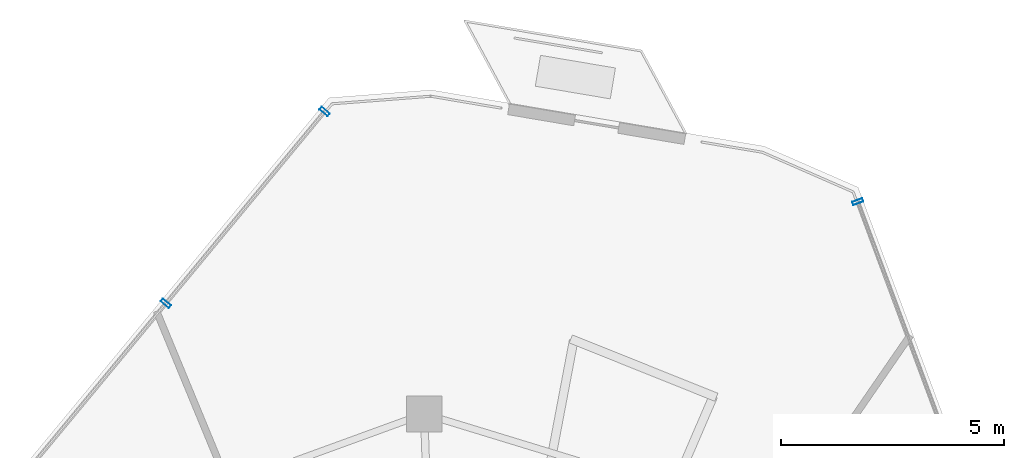
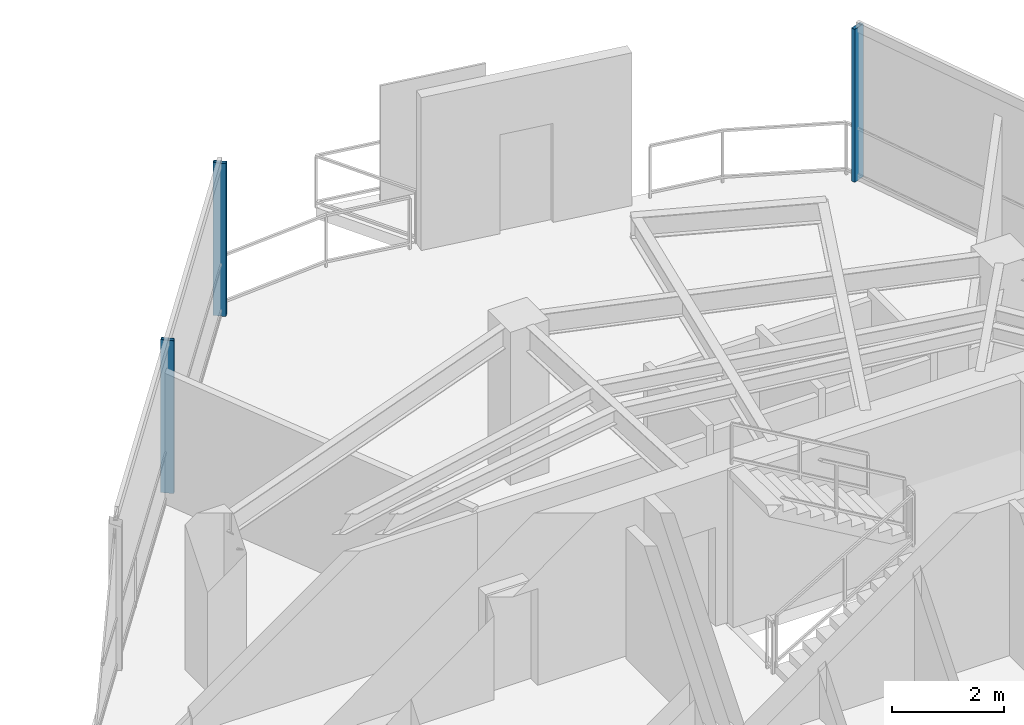
# One storey, part 13 of 19: 3 members, 2 elements without a shape of their own.
"""IFC4 building model written with IfcOpenShell, lengths in metres."""

from ifc_helpers import new_model, si_unit, direction, frame, origin, origin_2d, place, context, subcontext, project, spatial, hollow_rectangle, extrude, material, layer, layer_set, material_profile, profile_set, type_object, element, aggregate, save


model = new_model("IFC4")

# Units and contexts
model_context = context("Model", 3, precision=1e-05, world=origin(), true_north=direction((0.0, 1.0)))
body_context = subcontext(model_context, "Body", "Model", "MODEL_VIEW")
ifc_project = project(units=[si_unit("LENGTHUNIT", "METRE"), si_unit("AREAUNIT", "SQUARE_METRE"), si_unit("VOLUMEUNIT", "CUBIC_METRE"), si_unit("PLANEANGLEUNIT", "RADIAN"), si_unit("MASSUNIT", "GRAM", prefix="KILO")], contexts=[model_context])

# Site, building, storey
site_placement = place(None, origin())
site = spatial("IfcSite", under=ifc_project, at=site_placement, CompositionType="ELEMENT")
building_placement = place(site_placement, origin())
building = spatial("IfcBuilding", under=site, at=building_placement, Name="Qarnah Convention Tower", CompositionType="ELEMENT")
storey_placement = place(building_placement, frame((0.0, 0.0, 257.10009765625)))
storey = spatial("IfcBuildingStorey", under=building, at=storey_placement, Name="L69", CompositionType="ELEMENT", Elevation=257.10009765625)

# Curtain wall, member
ifc_material_1 = material(Name="Tempered Low-E dark glass", Category="glass")
ifc_layer = layer(ifc_material_1, 0.176025390625)
ifc_layer_set = layer_set([ifc_layer], Name="Tempered Low-E dark glass")
curtain_wall_type = type_object("IfcCurtainWallType", Name="CWS-05", PredefinedType="NOTDEFINED", material=ifc_layer_set)
curtain_wall_1_placement = place(storey_placement, origin())
curtain_wall_1 = element("IfcCurtainWall", 1, at=curtain_wall_1_placement, inside=storey, type_object=curtain_wall_type, Name="L69 unitised curtain wall CW-L69-F2", PredefinedType="NOTDEFINED")
ifc_material_2 = material(Name="Black anodised aluminium", Category="aluminium")
ifc_material_profile = material_profile(ifc_material_2, hollow_rectangle(XDim=0.080078125, YDim=0.239990234375, WallThickness=0.0048828125, at=origin_2d()), Name="MUL-80X240")
ifc_profile_set = profile_set([ifc_material_profile], Name="Black anodised aluminium")
member_type = type_object("IfcMemberType", Name="MUL-T5", PredefinedType="MULLION", material=ifc_profile_set)
member_1_placement = place(storey_placement, frame((46.429931640625, 44.68994140625, 0.0), z_axis=(0.0, 0.0, 1.0), x_axis=(0.348572341778, -0.937281879985, 0.0)))
member_1 = element("IfcMember", 2, at=member_1_placement, type_object=member_type, Name="CW-L69-F2 mullion 1", PredefinedType="MULLION", context=body_context, shape_type="SweptSolid", body=[
    extrude(hollow_rectangle(XDim=0.080078125, YDim=0.239990234375, WallThickness=0.0048828125, at=origin_2d()), origin(), (0.0, 0.0, 1.0), 3.31982421875),
])
aggregate(curtain_wall_1, [member_1])

# Curtain wall, members
curtain_wall_2_placement = place(storey_placement, origin())
curtain_wall_2 = element("IfcCurtainWall", 3, at=curtain_wall_2_placement, inside=storey, type_object=curtain_wall_type, Name="L69 unitised curtain wall CW-L69-F3", PredefinedType="NOTDEFINED")
member_2_placement = place(storey_placement, frame((30.947509765625, 42.415283203125, 0.0), z_axis=(0.0, 0.0, 1.0), x_axis=(0.637432488841, 0.770506211636, 0.0)))
member_2 = element("IfcMember", 4, at=member_2_placement, type_object=member_type, Name="CW-L69-F3 mullion 5", PredefinedType="MULLION", context=body_context, shape_type="SweptSolid", body=[
    extrude(hollow_rectangle(XDim=0.080078125, YDim=0.239990234375, WallThickness=0.0048828125, at=origin_2d()), origin(), (0.0, 0.0, 1.0), 3.31982421875),
])
member_3_placement = place(storey_placement, frame((34.498046875, 46.70703125, 0.0), z_axis=(0.0, 0.0, 1.0), x_axis=(0.637432488841, 0.770506211636, 0.0)))
member_3 = element("IfcMember", 5, at=member_3_placement, type_object=member_type, Name="CW-L69-F3 mullion 6", PredefinedType="MULLION", context=body_context, shape_type="SweptSolid", body=[
    extrude(hollow_rectangle(XDim=0.080078125, YDim=0.239990234375, WallThickness=0.0048828125, at=origin_2d()), origin(), (0.0, 0.0, 1.0), 3.31982421875),
])
aggregate(curtain_wall_2, [member_2, member_3])

save(model, "model.ifc")
